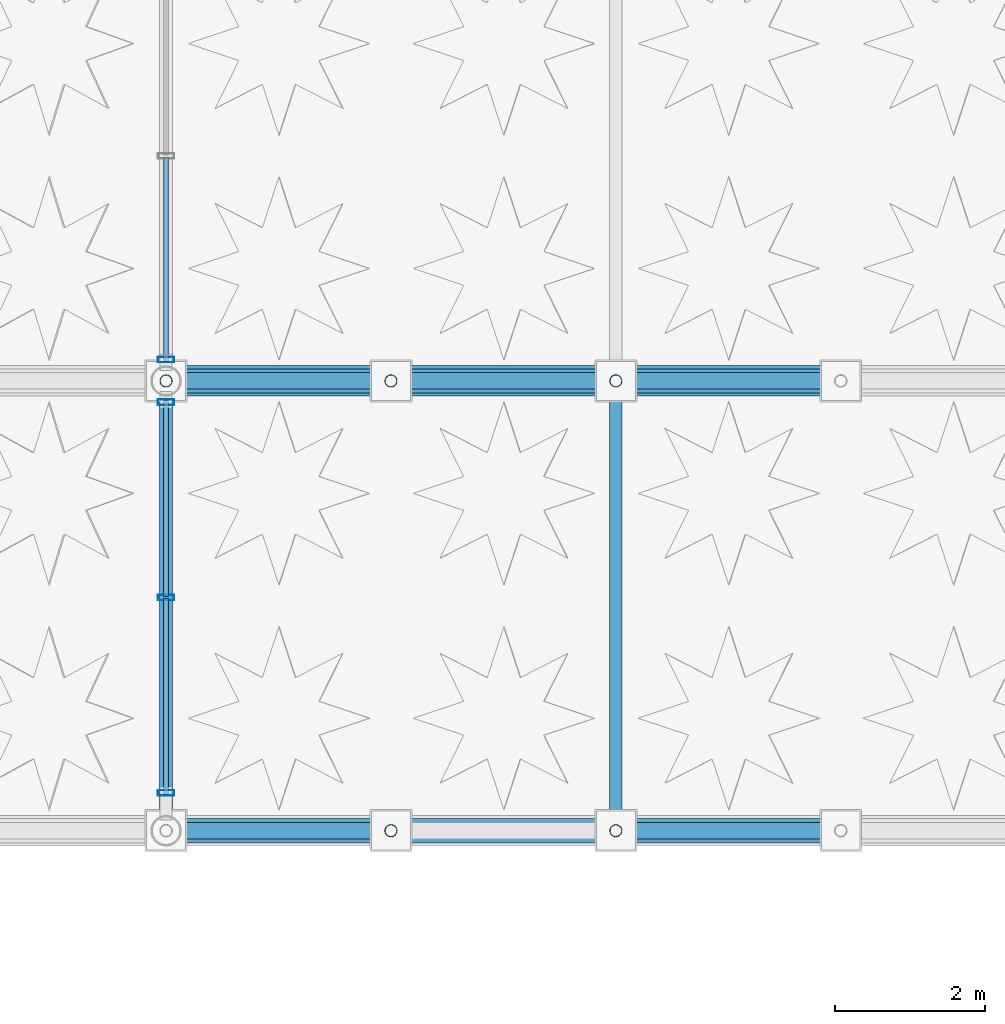
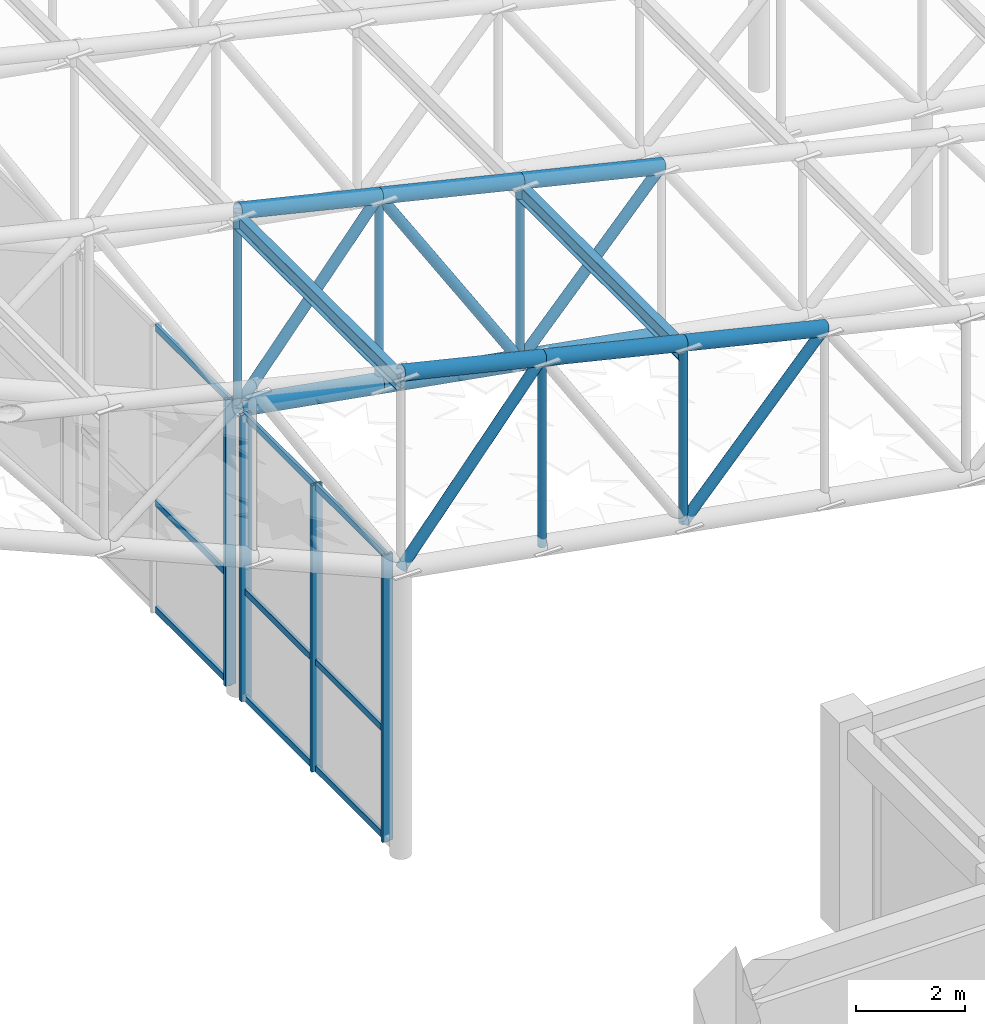
# One storey, part 26 of 112: 32 members, 2 beams, 2 elements without a shape of their own.
"""IFC4 building model written with IfcOpenShell, lengths in metres."""

from ifc_helpers import new_model, si_unit, direction, frame, origin, origin_2d, place, context, subcontext, project, spatial, hollow_rectangle, hollow_circle, i_section, extrude, material, material_profile, profile_set, type_object, element, aggregate, save


model = new_model("IFC4")

# Units and contexts
model_context = context("Model", 3, precision=1e-05, world=origin(), true_north=direction((0.0, 1.0)))
body_context = subcontext(model_context, "Body", "Model", "MODEL_VIEW")
ifc_project = project(units=[si_unit("LENGTHUNIT", "METRE"), si_unit("AREAUNIT", "SQUARE_METRE"), si_unit("VOLUMEUNIT", "CUBIC_METRE"), si_unit("PLANEANGLEUNIT", "RADIAN"), si_unit("MASSUNIT", "GRAM", prefix="KILO"), si_unit("THERMODYNAMICTEMPERATUREUNIT", "KELVIN"), si_unit("POWERUNIT", "WATT")], contexts=[model_context])

# Site, building, storey
site_placement = place(None, origin())
site = spatial("IfcSite", under=ifc_project, at=site_placement, CompositionType="ELEMENT")
building_placement = place(site_placement, origin())
building = spatial("IfcBuilding", under=site, at=building_placement, Name="Phaisarnlok Congress Hotel", CompositionType="ELEMENT")
storey_placement = place(building_placement, frame((0.0, 0.0, 19.800048828125)))
storey = spatial("IfcBuildingStorey", under=building, at=storey_placement, Name="L04", CompositionType="ELEMENT", Elevation=19.800048828125)

# Curtain wall, members
ifc_material_1 = material(Name="Thermally Broken Unitised Aluminium & Low-E Glazing", Category="aluminium")
curtain_wall_type_1 = type_object("IfcCurtainWallType", Name="CW-UNIT-42", PredefinedType="NOTDEFINED", material=ifc_material_1)
curtain_wall_1_placement = place(storey_placement, origin())
curtain_wall_1 = element("IfcCurtainWall", 1, at=curtain_wall_1_placement, inside=storey, type_object=curtain_wall_type_1, Name="Unitised curtain wall CW-42 (L04)", PredefinedType="NOTDEFINED")
ifc_material_2 = material(Name="Anodised Aluminium Alloy 6063-T6", Category="aluminium")
ifc_material_profile_1 = material_profile(ifc_material_2, hollow_rectangle(XDim=0.074951171875, YDim=0.219970703125, WallThickness=0.0048828125, at=origin_2d()), Name="ALU-M 75x220x5")
ifc_profile_set_1 = profile_set([ifc_material_profile_1], Name="Anodised Aluminium Alloy 6063-T6")
member_type_1 = type_object("IfcMemberType", Name="CWM-220", PredefinedType="MULLION", material=ifc_profile_set_1)
member_1_placement = place(storey_placement, frame((120.0, 53.715087890625, -0.010009765625), z_axis=(0.0, 0.0, 1.0), x_axis=(0.0, -1.0, 0.0)))
member_1 = element("IfcMember", 2, at=member_1_placement, type_object=member_type_1, Name="Curtain wall mullion CWM-02", PredefinedType="MULLION", context=body_context, shape_type="SweptSolid", body=[
    extrude(hollow_rectangle(XDim=0.074951171875, YDim=0.219970703125, WallThickness=0.0048828125, at=origin_2d()), origin(), (0.0, 0.0, 1.0), 6.429931640625),
])
member_2_placement = place(storey_placement, frame((120.0, 51.110107421875, -0.010009765625), z_axis=(0.0, 0.0, 1.0), x_axis=(0.0, -1.0, 0.0)))
member_2 = element("IfcMember", 3, at=member_2_placement, type_object=member_type_1, Name="Curtain wall mullion CWM-02", PredefinedType="MULLION", context=body_context, shape_type="SweptSolid", body=[
    extrude(hollow_rectangle(XDim=0.074951171875, YDim=0.219970703125, WallThickness=0.0048828125, at=origin_2d()), origin(), (0.0, 0.0, 1.0), 6.429931640625),
])
member_3_placement = place(storey_placement, frame((120.0, 48.5048828125, -0.010009765625), z_axis=(0.0, 0.0, 1.0), x_axis=(0.0, -1.0, 0.0)))
member_3 = element("IfcMember", 4, at=member_3_placement, type_object=member_type_1, Name="Curtain wall mullion CWM-02", PredefinedType="MULLION", context=body_context, shape_type="SweptSolid", body=[
    extrude(hollow_rectangle(XDim=0.074951171875, YDim=0.219970703125, WallThickness=0.0048828125, at=origin_2d()), origin(), (0.0, 0.0, 1.0), 6.429931640625),
])

# Curtain wall, member
curtain_wall_type_2 = type_object("IfcCurtainWallType", Name="CW-UNIT-45", PredefinedType="NOTDEFINED", material=ifc_material_1)
curtain_wall_2_placement = place(storey_placement, origin())
curtain_wall_2 = element("IfcCurtainWall", 5, at=curtain_wall_2_placement, inside=storey, type_object=curtain_wall_type_2, Name="Unitised curtain wall CW-45 (L04)", PredefinedType="NOTDEFINED")
member_4_placement = place(storey_placement, frame((120.0, 54.284912109375, -0.010009765625), z_axis=(0.0, 0.0, 1.0), x_axis=(0.0, -1.0, 0.0)))
member_4 = element("IfcMember", 6, at=member_4_placement, type_object=member_type_1, Name="Curtain wall mullion CWM-02", PredefinedType="MULLION", context=body_context, shape_type="SweptSolid", body=[
    extrude(hollow_rectangle(XDim=0.074951171875, YDim=0.219970703125, WallThickness=0.0048828125, at=origin_2d()), origin(), (0.0, 0.0, 1.0), 6.429931640625),
])

# Member
ifc_material_profile_2 = material_profile(ifc_material_2, hollow_rectangle(XDim=0.06494140625, YDim=0.139892578125, WallThickness=0.00390625, at=origin_2d()), Name="ALU-T 65x140x4")
ifc_profile_set_2 = profile_set([ifc_material_profile_2], Name="Anodised Aluminium Alloy 6063-T6")
member_type_2 = type_object("IfcMemberType", Name="CWT-150", PredefinedType="USERDEFINED", material=ifc_profile_set_2)
member_5_placement = place(storey_placement, frame((120.0, 53.739990234375, 0.0400390625), z_axis=(0.0, -1.0, 0.0), x_axis=(1.0, 0.0, 0.0)))
member_5 = element("IfcMember", 7, at=member_5_placement, type_object=member_type_2, Name="Curtain wall transom CWT-01", ObjectType="TRANSOM", PredefinedType="USERDEFINED", context=body_context, shape_type="SweptSolid", body=[
    extrude(hollow_rectangle(XDim=0.06494140625, YDim=0.139892578125, WallThickness=0.00390625, at=origin_2d()), origin(), (0.0, 0.0, 1.0), 2.614990234375),
])

member_6_placement = place(storey_placement, frame((120.0, 53.739990234375, 2.433349609375), z_axis=(0.0, -1.0, 0.0), x_axis=(1.0, 0.0, 0.0)))
member_6 = element("IfcMember", 8, at=member_6_placement, type_object=member_type_2, Name="Curtain wall transom CWT-01", ObjectType="TRANSOM", PredefinedType="USERDEFINED", context=body_context, shape_type="SweptSolid", body=[
    extrude(hollow_rectangle(XDim=0.06494140625, YDim=0.139892578125, WallThickness=0.00390625, at=origin_2d()), origin(), (0.0, 0.0, 1.0), 2.614990234375),
])

member_7_placement = place(storey_placement, frame((120.0, 53.739990234375, 6.369873046875), z_axis=(0.0, -1.0, 0.0), x_axis=(1.0, 0.0, 0.0)))
member_7 = element("IfcMember", 9, at=member_7_placement, type_object=member_type_2, Name="Curtain wall transom CWT-01", ObjectType="TRANSOM", PredefinedType="USERDEFINED", context=body_context, shape_type="SweptSolid", body=[
    extrude(hollow_rectangle(XDim=0.06494140625, YDim=0.139892578125, WallThickness=0.00390625, at=origin_2d()), origin(), (0.0, 0.0, 1.0), 2.614990234375),
])

member_8_placement = place(storey_placement, frame((120.0, 51.094970703125, 0.0400390625), z_axis=(0.0, -1.0, 0.0), x_axis=(1.0, 0.0, 0.0)))
member_8 = element("IfcMember", 10, at=member_8_placement, type_object=member_type_2, Name="Curtain wall transom CWT-01", ObjectType="TRANSOM", PredefinedType="USERDEFINED", context=body_context, shape_type="SweptSolid", body=[
    extrude(hollow_rectangle(XDim=0.06494140625, YDim=0.139892578125, WallThickness=0.00390625, at=origin_2d()), origin(), (0.0, 0.0, 1.0), 2.614990234375),
])

member_9_placement = place(storey_placement, frame((120.0, 51.094970703125, 2.433349609375), z_axis=(0.0, -1.0, 0.0), x_axis=(1.0, 0.0, 0.0)))
member_9 = element("IfcMember", 11, at=member_9_placement, type_object=member_type_2, Name="Curtain wall transom CWT-01", ObjectType="TRANSOM", PredefinedType="USERDEFINED", context=body_context, shape_type="SweptSolid", body=[
    extrude(hollow_rectangle(XDim=0.06494140625, YDim=0.139892578125, WallThickness=0.00390625, at=origin_2d()), origin(), (0.0, 0.0, 1.0), 2.614990234375),
])

member_10_placement = place(storey_placement, frame((120.0, 51.094970703125, 6.369873046875), z_axis=(0.0, -1.0, 0.0), x_axis=(1.0, 0.0, 0.0)))
member_10 = element("IfcMember", 12, at=member_10_placement, type_object=member_type_2, Name="Curtain wall transom CWT-01", ObjectType="TRANSOM", PredefinedType="USERDEFINED", context=body_context, shape_type="SweptSolid", body=[
    extrude(hollow_rectangle(XDim=0.06494140625, YDim=0.139892578125, WallThickness=0.00390625, at=origin_2d()), origin(), (0.0, 0.0, 1.0), 2.614990234375),
])

aggregate(curtain_wall_1, [member_1, member_2, member_3, member_5, member_6, member_7, member_8, member_9, member_10])

member_11_placement = place(storey_placement, frame((120.0, 56.985107421875, 0.0400390625), z_axis=(0.0, -1.0, 0.0), x_axis=(1.0, 0.0, 0.0)))
member_11 = element("IfcMember", 13, at=member_11_placement, type_object=member_type_2, Name="Curtain wall transom CWT-01", ObjectType="TRANSOM", PredefinedType="USERDEFINED", context=body_context, shape_type="SweptSolid", body=[
    extrude(hollow_rectangle(XDim=0.06494140625, YDim=0.139892578125, WallThickness=0.00390625, at=origin_2d()), origin(), (0.0, 0.0, 1.0), 2.72509765625),
])

member_12_placement = place(storey_placement, frame((120.0, 56.985107421875, 2.433349609375), z_axis=(0.0, -1.0, 0.0), x_axis=(1.0, 0.0, 0.0)))
member_12 = element("IfcMember", 14, at=member_12_placement, type_object=member_type_2, Name="Curtain wall transom CWT-01", ObjectType="TRANSOM", PredefinedType="USERDEFINED", context=body_context, shape_type="SweptSolid", body=[
    extrude(hollow_rectangle(XDim=0.06494140625, YDim=0.139892578125, WallThickness=0.00390625, at=origin_2d()), origin(), (0.0, 0.0, 1.0), 2.72509765625),
])

member_13_placement = place(storey_placement, frame((120.0, 56.985107421875, 6.369873046875), z_axis=(0.0, -1.0, 0.0), x_axis=(1.0, 0.0, 0.0)))
member_13 = element("IfcMember", 15, at=member_13_placement, type_object=member_type_2, Name="Curtain wall transom CWT-01", ObjectType="TRANSOM", PredefinedType="USERDEFINED", context=body_context, shape_type="SweptSolid", body=[
    extrude(hollow_rectangle(XDim=0.06494140625, YDim=0.139892578125, WallThickness=0.00390625, at=origin_2d()), origin(), (0.0, 0.0, 1.0), 2.72509765625),
])

aggregate(curtain_wall_2, [member_4, member_11, member_12, member_13])

# Beams
ifc_material_3 = material(Name="Steel S355", Category="steel")
ifc_material_profile_3 = material_profile(ifc_material_3, i_section(OverallWidth=0.169921875, OverallDepth=0.360107421875, WebThickness=0.008056640625, FlangeThickness=0.0126953125, FilletRadius=0.01806640625, at=origin_2d()), Name="IPE 360")
ifc_profile_set_3 = profile_set([ifc_material_profile_3], Name="Steel S355")
beam_type = type_object("IfcBeamType", Name="JS-STL-IPE360", PredefinedType="JOIST", material=ifc_profile_set_3)
for number, where, z_axis, x_axis, name in (
    (16, (126.0, 48.0, 9.16845703125), (0.0, 1.0, 0.0), (-1.0, 0.0, 0.0), "Cloister wing roof purlin"),
    (17, (120.0, 48.0, 10.6005859375), (0.0, 1.0, 0.0), (-1.0, 0.0, 0.0), "Cloister wing roof purlin"),
):
    element("IfcBeam", number, at=place(storey_placement, frame(where, z_axis=z_axis, x_axis=x_axis)), inside=storey, type_object=beam_type, Name=name, PredefinedType="JOIST", context=body_context, shape_type="SweptSolid", body=[
        extrude(i_section(OverallWidth=0.169921875, OverallDepth=0.360107421875, WebThickness=0.008056640625, FlangeThickness=0.0126953125, FilletRadius=0.01806640625, at=origin_2d()), origin(), (0.0, 0.0, 1.0), 6.0),
    ])

# Members
ifc_material_profile_4 = material_profile(ifc_material_3, hollow_circle(Radius=0.084228515625, WallThickness=0.010009765625, at=origin_2d()), Name="CHS 168.3x10")
ifc_profile_set_4 = profile_set([ifc_material_profile_4], Name="Steel S355")
member_type_3 = type_object("IfcMemberType", Name="MEM-BRC-CHS168", PredefinedType="BRACE", material=ifc_profile_set_4)
member_14_placement = place(storey_placement, frame((126.0, 48.0, 5.333251953125), z_axis=(0.0, 0.0, 1.0), x_axis=(1.0, 0.0, 0.0)))
element("IfcMember", 18, at=member_14_placement, inside=storey, type_object=member_type_3, Name="Cloister wing roof truss vertical web", PredefinedType="BRACE", context=body_context, shape_type="SweptSolid", body=[
    extrude(hollow_circle(Radius=0.084228515625, WallThickness=0.010009765625, at=origin_2d()), origin(), (0.0, 0.0, 1.0), 4.027099609375),
])
member_15_placement = place(storey_placement, frame((123.0, 48.0, 5.86669921875), z_axis=(0.0, 0.0, 1.0), x_axis=(1.0, 0.0, 0.0)))
element("IfcMember", 19, at=member_15_placement, inside=storey, type_object=member_type_3, Name="Cloister wing roof truss vertical web", PredefinedType="BRACE", context=body_context, shape_type="SweptSolid", body=[
    extrude(hollow_circle(Radius=0.084228515625, WallThickness=0.010009765625, at=origin_2d()), origin(), (0.0, 0.0, 1.0), 4.209716796875),
])
member_16_placement = place(storey_placement, frame((126.0, 54.0, 5.333251953125), z_axis=(0.0, 0.0, 1.0), x_axis=(1.0, 0.0, 0.0)))
element("IfcMember", 20, at=member_16_placement, inside=storey, type_object=member_type_3, Name="Cloister wing roof truss vertical web", PredefinedType="BRACE", context=body_context, shape_type="SweptSolid", body=[
    extrude(hollow_circle(Radius=0.084228515625, WallThickness=0.010009765625, at=origin_2d()), origin(), (0.0, 0.0, 1.0), 4.027099609375),
])
member_17_placement = place(storey_placement, frame((123.0, 54.0, 5.86669921875), z_axis=(0.0, 0.0, 1.0), x_axis=(1.0, 0.0, 0.0)))
element("IfcMember", 21, at=member_17_placement, inside=storey, type_object=member_type_3, Name="Cloister wing roof truss vertical web", PredefinedType="BRACE", context=body_context, shape_type="SweptSolid", body=[
    extrude(hollow_circle(Radius=0.084228515625, WallThickness=0.010009765625, at=origin_2d()), origin(), (0.0, 0.0, 1.0), 4.209716796875),
])
member_18_placement = place(storey_placement, frame((120.0, 54.0, 6.39990234375), z_axis=(0.0, 0.0, 1.0), x_axis=(1.0, 0.0, 0.0)))
element("IfcMember", 22, at=member_18_placement, inside=storey, type_object=member_type_3, Name="Cloister wing roof truss vertical web", PredefinedType="BRACE", context=body_context, shape_type="SweptSolid", body=[
    extrude(hollow_circle(Radius=0.084228515625, WallThickness=0.010009765625, at=origin_2d()), origin(), (0.0, 0.0, 1.0), 4.392578125),
])
ifc_material_profile_5 = material_profile(ifc_material_3, hollow_circle(Radius=0.109619140625, WallThickness=0.012451171875, at=origin_2d()), Name="CHS 219.1x12.5")
ifc_profile_set_5 = profile_set([ifc_material_profile_5], Name="Steel S355")
member_type_4 = type_object("IfcMemberType", Name="MEM-BRC-CHS219", PredefinedType="BRACE", material=ifc_profile_set_5)
member_19_placement = place(storey_placement, frame((126.0, 48.0, 5.333251953125), z_axis=(0.671442541254, 0.0, 0.741056619831), x_axis=(0.0, 1.0, 0.0)))
element("IfcMember", 23, at=member_19_placement, inside=storey, type_object=member_type_4, Name="Cloister wing roof truss diagonal brace", PredefinedType="BRACE", context=body_context, shape_type="SweptSolid", body=[
    extrude(hollow_circle(Radius=0.109619140625, WallThickness=0.012451171875, at=origin_2d()), origin(), (0.0, 0.0, 1.0), 4.468017578125),
])
member_20_placement = place(storey_placement, frame((120.0, 48.0, 6.39990234375), z_axis=(0.632220210367, 0.0, 0.774788749017), x_axis=(0.0, 1.0, 0.0)))
element("IfcMember", 24, at=member_20_placement, inside=storey, type_object=member_type_4, Name="Cloister wing roof truss diagonal brace", PredefinedType="BRACE", context=body_context, shape_type="SweptSolid", body=[
    extrude(hollow_circle(Radius=0.109619140625, WallThickness=0.012451171875, at=origin_2d()), origin(), (0.0, 0.0, 1.0), 4.7451171875),
])
member_21_placement = place(storey_placement, frame((126.0, 54.0, 5.333251953125), z_axis=(0.671442541254, 0.0, 0.741056619831), x_axis=(0.0, 1.0, 0.0)))
element("IfcMember", 25, at=member_21_placement, inside=storey, type_object=member_type_4, Name="Cloister wing roof truss diagonal brace", PredefinedType="BRACE", context=body_context, shape_type="SweptSolid", body=[
    extrude(hollow_circle(Radius=0.109619140625, WallThickness=0.012451171875, at=origin_2d()), origin(), (0.0, 0.0, 1.0), 4.468017578125),
])
member_22_placement = place(storey_placement, frame((126.0, 54.0, 5.333251953125), z_axis=(-0.534542802575, 0.0, 0.845141403681), x_axis=(0.0, -1.0, 0.0)))
element("IfcMember", 26, at=member_22_placement, inside=storey, type_object=member_type_4, Name="Cloister wing roof truss diagonal brace", PredefinedType="BRACE", context=body_context, shape_type="SweptSolid", body=[
    extrude(hollow_circle(Radius=0.109619140625, WallThickness=0.012451171875, at=origin_2d()), origin(), (0.0, 0.0, 1.0), 5.6123046875),
])
member_23_placement = place(storey_placement, frame((120.0, 54.0, 6.39990234375), z_axis=(0.632220210367, 0.0, 0.774788749017), x_axis=(0.0, 1.0, 0.0)))
element("IfcMember", 27, at=member_23_placement, inside=storey, type_object=member_type_4, Name="Cloister wing roof truss diagonal brace", PredefinedType="BRACE", context=body_context, shape_type="SweptSolid", body=[
    extrude(hollow_circle(Radius=0.109619140625, WallThickness=0.012451171875, at=origin_2d()), origin(), (0.0, 0.0, 1.0), 4.7451171875),
])
ifc_material_profile_6 = material_profile(ifc_material_3, hollow_circle(Radius=0.161865234375, WallThickness=0.01611328125, at=origin_2d()), Name="CHS 323.9x16")
ifc_profile_set_6 = profile_set([ifc_material_profile_6], Name="Steel S355")
member_type_5 = type_object("IfcMemberType", Name="MEM-CHD-CHS324", PredefinedType="CHORD", material=ifc_profile_set_6)
for number, where, z_axis, x_axis, name in (
    (28, (129.0, 48.0, 8.644287109375), (-0.972676115692, 0.0, 0.232166263617), (0.0, -1.0, 0.0), "Cloister wing roof truss top chord"),
    (29, (126.0, 48.0, 9.3603515625), (-0.972676115692, 0.0, 0.232166263617), (0.0, -1.0, 0.0), "Cloister wing roof truss top chord"),
    (30, (123.0, 48.0, 10.076416015625), (-0.972676115692, 0.0, 0.232166263617), (0.0, -1.0, 0.0), "Cloister wing roof truss top chord"),
    (31, (129.0, 54.0, 8.644287109375), (-0.972676115692, 0.0, 0.232166263617), (0.0, -1.0, 0.0), "Cloister wing roof truss top chord"),
    (32, (126.0, 54.0, 9.3603515625), (-0.972676115692, 0.0, 0.232166263617), (0.0, -1.0, 0.0), "Cloister wing roof truss top chord"),
    (33, (123.0, 54.0, 10.076416015625), (-0.972676115692, 0.0, 0.232166263617), (0.0, -1.0, 0.0), "Cloister wing roof truss top chord"),
):
    element("IfcMember", number, at=place(storey_placement, frame(where, z_axis=z_axis, x_axis=x_axis)), inside=storey, type_object=member_type_5, Name=name, PredefinedType="CHORD", context=body_context, shape_type="SweptSolid", body=[
        extrude(hollow_circle(Radius=0.161865234375, WallThickness=0.01611328125, at=origin_2d()), origin(), (0.0, 0.0, 1.0), 3.084228515625),
    ])
ifc_material_profile_7 = material_profile(ifc_material_3, hollow_circle(Radius=0.203125, WallThickness=0.02001953125, at=origin_2d()), Name="CHS 406.4x20")
ifc_profile_set_7 = profile_set([ifc_material_profile_7], Name="Steel S355")
member_type_6 = type_object("IfcMemberType", Name="MEM-CHD-CHS406", PredefinedType="CHORD", material=ifc_profile_set_7)
for number, where, z_axis, x_axis, name in (
    (34, (129.0, 54.0, 4.800048828125), (-0.984569871158, 0.0, 0.174991910694), (0.0, -1.0, 0.0), "Cloister wing roof truss bottom chord"),
    (35, (126.0, 54.0, 5.333251953125), (-0.984556063496, 0.0, 0.175069579976), (0.0, -1.0, 0.0), "Cloister wing roof truss bottom chord"),
    (36, (123.0, 54.0, 5.86669921875), (-0.984569871158, 0.0, 0.174991910694), (0.0, -1.0, 0.0), "Cloister wing roof truss bottom chord"),
):
    element("IfcMember", number, at=place(storey_placement, frame(where, z_axis=z_axis, x_axis=x_axis)), inside=storey, type_object=member_type_6, Name=name, PredefinedType="CHORD", context=body_context, shape_type="SweptSolid", body=[
        extrude(hollow_circle(Radius=0.203125, WallThickness=0.02001953125, at=origin_2d()), origin(), (0.0, 0.0, 1.0), 3.047119140625),
    ])

save(model, "model.ifc")
